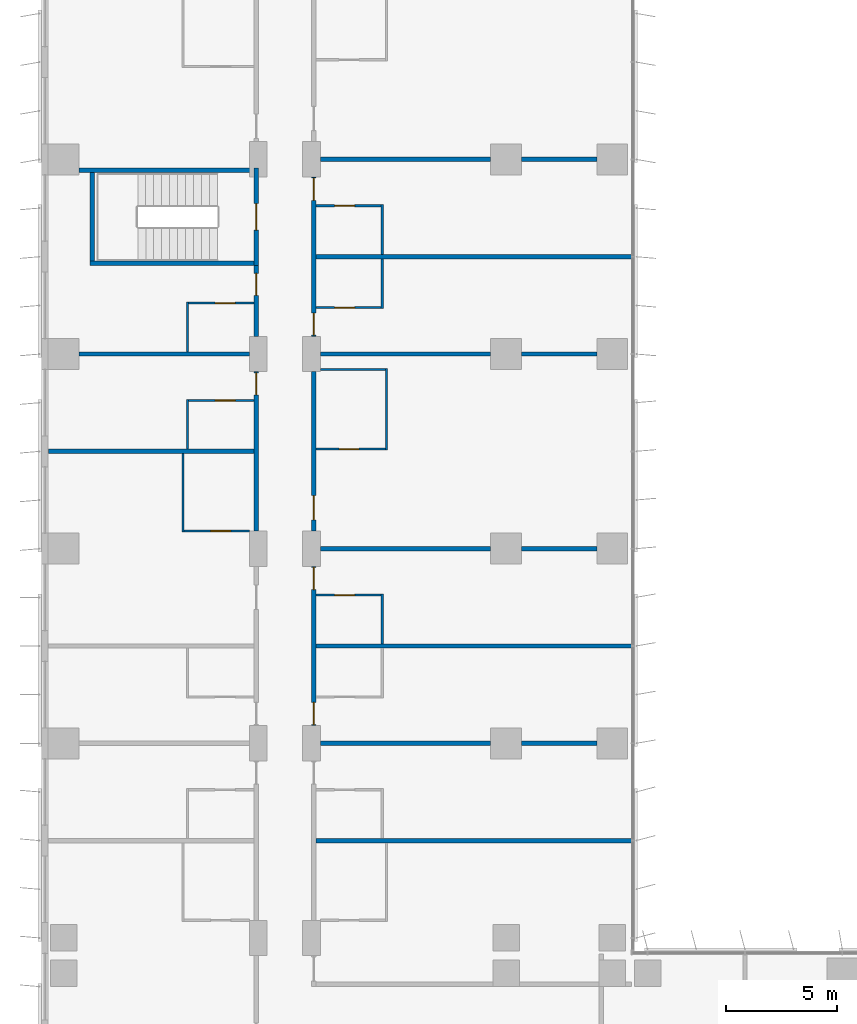
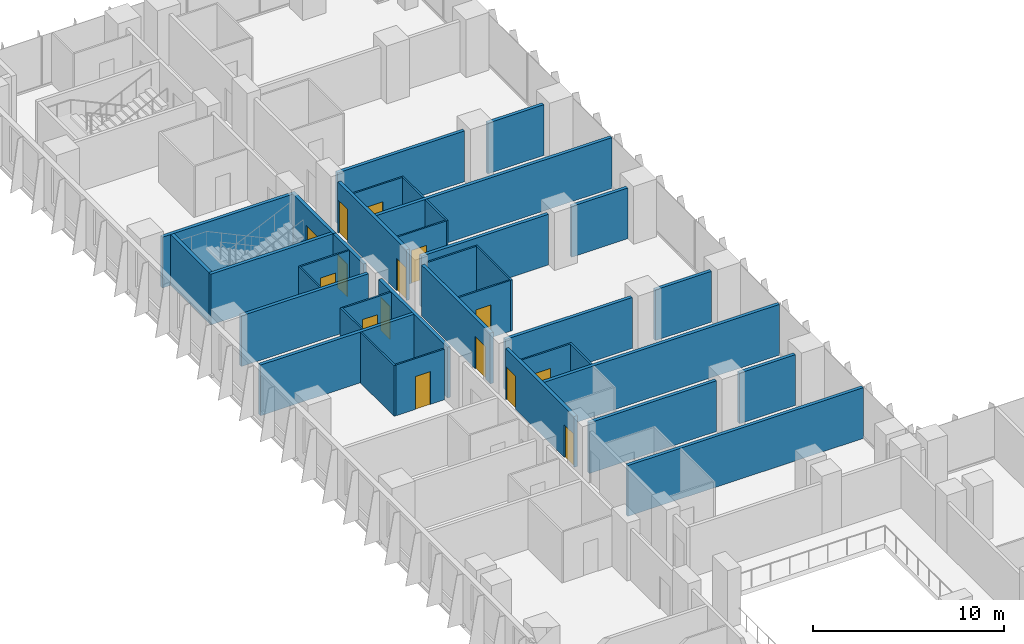
# One storey, part 16 of 23: 37 walls, 15 doors, 15 openings.
"""IFC4 building model written with IfcOpenShell, lengths in metres."""

import ifcopenshell
import ifcopenshell.guid

model = None  # the IFC model being written
_history = None  # IfcOwnerHistory: only IFC2X3 demands one
_inside = {}  # id of a spatial element -> (the spatial element, [elements in it])
_under = {}  # id of a project, library or spatial element -> (it, [spatial elements below it])
_declared = {}  # id of a project -> (the project, [libraries it declares])
_typed = {}  # id of a type object -> (the type object, [elements of that type])
_made_of = {}  # id of a material, layer set ... -> (it, [elements and type objects made of it])


def new_model(schema):
    """Start an empty IFC model of exactly this schema.

    Asked for "IFC4X3", IfcOpenShell would pick the latest addendum, in which some entities
    have other attributes; the version numbers below select the first issue.
    IFC2X3 requires an IfcOwnerHistory on every rooted entity: one is made here for all.
    """
    global model, _history
    if schema == "IFC4X3":
        model = ifcopenshell.file(schema_version=(4, 3, 0, 0))
    else:
        model = ifcopenshell.file(schema=schema)
    _inside.clear()
    _under.clear()
    _declared.clear()
    _typed.clear()
    _made_of.clear()
    _history = None
    if model.schema == "IFC2X3":
        org = make("IfcOrganization", Name="unknown")
        user = make(
            "IfcPersonAndOrganization",
            ThePerson=make("IfcPerson", FamilyName="unknown"),
            TheOrganization=org,
        )
        app = make(
            "IfcApplication",
            ApplicationDeveloper=org,
            Version="unknown",
            ApplicationFullName="unknown",
            ApplicationIdentifier="unknown",
        )
        _history = make(
            "IfcOwnerHistory",
            OwningUser=user,
            OwningApplication=app,
            ChangeAction="ADDED",
            CreationDate=0,
        )
    return model


def make(cls, **values):
    """One entity of the class cls with the attributes given. An attribute that is None is left unset."""
    return model.create_entity(
        cls, **{name: value for name, value in values.items() if value is not None}
    )


def rooted(cls, **values):
    """An entity with a GlobalId (a new one), such as an element, a storey or a relation."""
    return make(cls, GlobalId=ifcopenshell.guid.new(), OwnerHistory=_history, **values)


def si_unit(unit_type, name, prefix=None):
    """IfcSIUnit, for example si_unit("LENGTHUNIT", "METRE", prefix="MILLI")."""
    return make("IfcSIUnit", UnitType=unit_type, Prefix=prefix, Name=name)


def assignment(units):
    """IfcUnitAssignment: the units of a project."""
    return None if units is None else make("IfcUnitAssignment", Units=units)


def point(xyz):
    """IfcCartesianPoint."""
    return None if xyz is None else make("IfcCartesianPoint", Coordinates=xyz)


def direction(xyz):
    """IfcDirection."""
    return None if xyz is None else make("IfcDirection", DirectionRatios=xyz)


def frame(location, z_axis=None, x_axis=None):
    """IfcAxis2Placement3D, a coordinate frame: its origin and axes. An axis left out is left unset."""
    return make(
        "IfcAxis2Placement3D",
        Location=point(location),
        Axis=direction(z_axis),
        RefDirection=direction(x_axis),
    )


def frame_2d(location, x_axis=None):
    """IfcAxis2Placement2D, a coordinate frame in the plane: its origin and x axis."""
    return make(
        "IfcAxis2Placement2D", Location=point(location), RefDirection=direction(x_axis)
    )


def origin():
    """The frame at (0, 0, 0) with its axes left unset."""
    return frame((0.0, 0.0, 0.0))


def place(relative_to, where):
    """IfcLocalPlacement: puts the frame where relative to a parent placement (None: the world)."""
    return make(
        "IfcLocalPlacement", PlacementRelTo=relative_to, RelativePlacement=where
    )


def context(
    kind, dimensions, precision=None, world=None, true_north=None, identifier=None
):
    """IfcGeometricRepresentationContext, for example the 3D "Model" context."""
    return make(
        "IfcGeometricRepresentationContext",
        ContextIdentifier=identifier,
        ContextType=kind,
        CoordinateSpaceDimension=dimensions,
        Precision=precision,
        WorldCoordinateSystem=world,
        TrueNorth=true_north,
    )


def subcontext(parent, identifier, kind, view, scale=None):
    """IfcGeometricRepresentationSubContext, for example "Body" below "Model"."""
    return make(
        "IfcGeometricRepresentationSubContext",
        ContextIdentifier=identifier,
        ContextType=kind,
        ParentContext=parent,
        TargetScale=scale,
        TargetView=view,
    )


def project(units=None, contexts=None):
    """IfcProject with its units and contexts."""
    return rooted(
        "IfcProject",
        Name="project",
        RepresentationContexts=contexts,
        UnitsInContext=assignment(units),
    )


def spatial(cls, under=None, at=None, **own):
    """A site, building, storey or space (cls), placed at a placement, below another one or the project."""
    s = rooted(cls, ObjectPlacement=at, **own)
    if under is not None:
        _under.setdefault(under.id(), (under, []))[1].append(s)
    return s


def profile(cls, at=None, kind="AREA", **sizes):
    """A parametric profile (cls). Its sizes go by their IFC names, for example OverallWidth=200.0."""
    return make(cls, ProfileType=kind, Position=at, **sizes)


def rectangle(**sizes):
    """IfcRectangleProfileDef."""
    return profile("IfcRectangleProfileDef", **sizes)


def extrude(swept, where, along, depth):
    """IfcExtrudedAreaSolid: the profile swept, set in the frame where, extruded along a direction by depth."""
    return make(
        "IfcExtrudedAreaSolid",
        SweptArea=swept,
        Position=where,
        ExtrudedDirection=direction(along),
        Depth=depth,
    )


def shape(context_of_items, identifier, shape_type, items):
    """IfcShapeRepresentation: the items that make up one representation, for example the "Body"."""
    return make(
        "IfcShapeRepresentation",
        ContextOfItems=context_of_items,
        RepresentationIdentifier=identifier,
        RepresentationType=shape_type,
        Items=items,
    )


def material(Name=None, Category=None):
    """IfcMaterial."""
    return make("IfcMaterial", Name=Name, Category=Category)


def layer(
    of_material, thickness, ventilated=None, Name=None, Category=None, Priority=None
):
    """IfcMaterialLayer: one layer of a wall or slab, of a material (None: an air gap)."""
    return make(
        "IfcMaterialLayer",
        Material=of_material,
        LayerThickness=thickness,
        IsVentilated=ventilated,
        Name=Name,
        Category=Category,
        Priority=Priority,
    )


def layer_set(layers, Name=None):
    """IfcMaterialLayerSet."""
    return make("IfcMaterialLayerSet", MaterialLayers=layers, LayerSetName=Name)


def made_of(thing, what):
    """Note that an element or type object is made of a material, layer set ...; save() writes the relation."""
    if what is not None:
        _made_of.setdefault(what.id(), (what, []))[1].append(thing)
    return thing


def type_object(cls, material=None, **own):
    """A type object (cls), such as IfcWallType, which elements share."""
    return made_of(rooted(cls, **own), material)


def element(
    cls,
    number,
    at=None,
    inside=None,
    cuts=None,
    type_object=None,
    material=None,
    context=None,
    identifier="Body",
    shape_type=None,
    held_by="IfcProductDefinitionShape",
    body=None,
    shapes=None,
    **own,
):
    """One element of the class cls, such as IfcWall. Its Tag is "e" and its number.

    at: its placement. inside: the storey or other place that contains it. cuts: it is an
    opening in that element (IfcRelVoidsElement). A single representation is given by context,
    identifier, shape_type and body (its items); several are given by shapes. held_by: the class
    of the entity that holds the representations. save() writes the other relations.
    """
    e = rooted(cls, Tag="e%d" % number, ObjectPlacement=at, **own)
    if body is not None:
        shapes = [shape(context, identifier, shape_type, body)]
    if shapes is not None:
        e.Representation = make(held_by, Representations=shapes)
    if inside is not None:
        _inside.setdefault(inside.id(), (inside, []))[1].append(e)
    if cuts is not None:
        rooted(
            "IfcRelVoidsElement", RelatingBuildingElement=cuts, RelatedOpeningElement=e
        )
    if type_object is not None:
        _typed.setdefault(type_object.id(), (type_object, []))[1].append(e)
    return made_of(e, material)


def fill(opening, filler):
    """IfcRelFillsElement: the door or window that sits in an opening."""
    return rooted(
        "IfcRelFillsElement",
        RelatingOpeningElement=opening,
        RelatedBuildingElement=filler,
    )


def aggregate(whole, parts):
    """IfcRelAggregates: a whole, such as a stair, and the parts it consists of."""
    return rooted("IfcRelAggregates", RelatingObject=whole, RelatedObjects=parts)


def save(model, path):
    """Write the relations noted so far, then the file.

    IfcRelAggregates (storeys below a building ...), IfcRelContainedInSpatialStructure (elements
    in a storey), IfcRelDefinesByType, IfcRelAssociatesMaterial and IfcRelDeclares: one each for
    every whole, place, type object, material and project.
    """
    for whole, parts in _under.values():
        aggregate(whole, parts)
    for where, things in _inside.values():
        rooted(
            "IfcRelContainedInSpatialStructure",
            RelatedElements=things,
            RelatingStructure=where,
        )
    for kind, things in _typed.values():
        rooted("IfcRelDefinesByType", RelatedObjects=things, RelatingType=kind)
    for what, things in _made_of.values():
        rooted("IfcRelAssociatesMaterial", RelatedObjects=things, RelatingMaterial=what)
    for by, libraries in _declared.values():
        rooted("IfcRelDeclares", RelatingContext=by, RelatedDefinitions=libraries)
    model.write(path)


model = new_model("IFC4")

# Units and contexts
model_context = context("Model", 3, precision=1e-05, world=origin(), true_north=direction((0.0, 1.0)))
body_context = subcontext(model_context, "Body", "Model", "MODEL_VIEW")
ifc_project = project(units=[si_unit("LENGTHUNIT", "METRE"), si_unit("AREAUNIT", "SQUARE_METRE"), si_unit("VOLUMEUNIT", "CUBIC_METRE"), si_unit("PLANEANGLEUNIT", "RADIAN"), si_unit("MASSUNIT", "GRAM", prefix="KILO")], contexts=[model_context])

# Site, building, storey
site_placement = place(None, origin())
site = spatial("IfcSite", under=ifc_project, at=site_placement, CompositionType="ELEMENT")
building_placement = place(site_placement, origin())
building = spatial("IfcBuilding", under=site, at=building_placement, Name="Kemantara Hotel Tower", CompositionType="ELEMENT")
storey_placement = place(building_placement, frame((0.0, 0.0, 67.300048828125)))
storey = spatial("IfcBuildingStorey", under=building, at=storey_placement, Name="L15", CompositionType="ELEMENT", Elevation=67.300048828125)

# Wall, opening, door
ifc_material_1 = material(Name="Gypsum board partition, steel studs and mineral wool, 200 mm", Category="steel")
ifc_layer_1 = layer(ifc_material_1, 0.199951171875)
ifc_layer_set_1 = layer_set([ifc_layer_1], Name="Gypsum board partition, steel studs and mineral wool, 200 mm")
wall_type_1 = type_object("IfcWallType", Name="CORRIDOR WALL 200", PredefinedType="PARTITIONING", material=ifc_layer_set_1)
wall_1_placement = place(storey_placement, frame((9.699951171875, 45.800048828125, 0.0), z_axis=(0.0, 0.0, 1.0), x_axis=(0.0, 1.0, 0.0)))
wall_1 = element("IfcWall", 1, at=wall_1_placement, inside=storey, type_object=wall_type_1, Name="CORRIDOR WALL 200 031", PredefinedType="PARTITIONING", context=body_context, shape_type="SweptSolid", body=[
    extrude(rectangle(XDim=7.199951171875, YDim=0.199951171875, at=frame_2d((3.60009765625, 0.0))), origin(), (0.0, 0.0, 1.0), 3.25),
])
opening_1_placement = place(wall_1_placement, frame((6.14990234375, 0.0, 0.0)))
opening_1 = element("IfcOpeningElement", 2, at=opening_1_placement, cuts=wall_1, Name="Opening F05-041", PredefinedType="OPENING", context=body_context, shape_type="SweptSolid", body=[
    extrude(rectangle(XDim=1.0, YDim=2.10009765625, at=frame_2d((0.5, 1.050048828125))), frame((0.0, 0.10986328125, 0.0), z_axis=(0.0, -1.0, 0.0), x_axis=(1.0, 0.0, 0.0)), (0.0, 0.0, 1.0), 0.219970703125),
])
ifc_material_2 = material(Name="Hardwood veneer door leaf with steel frame", Category="steel")
door_type_1 = type_object("IfcDoorType", Name="GUEST ROOM DOOR 1000 X 2100 FD30S", OperationType="NOTDEFINED", PredefinedType="DOOR", material=ifc_material_2)
door_1_placement = place(opening_1_placement, origin())
door_1 = element("IfcDoor", 3, at=door_1_placement, inside=storey, type_object=door_type_1, Name="GUEST ROOM DOOR F05-041", OperationType="SINGLE_SWING_RIGHT", OverallHeight=2.10009765625, OverallWidth=1.0, PredefinedType="DOOR", context=body_context, shape_type="SweptSolid", body=[
    extrude(rectangle(XDim=1.0, YDim=2.10009765625, at=frame_2d((0.5, 1.050048828125))), frame((0.0, 0.02490234375, 0.0), z_axis=(0.0, -1.0, 0.0), x_axis=(1.0, 0.0, 0.0)), (0.0, 0.0, 1.0), 0.050048828125),
])
fill(opening_1, door_1)

wall_2_placement = place(storey_placement, frame((9.699951171875, 54.60009765625, 0.0), z_axis=(0.0, 0.0, 1.0), x_axis=(0.0, 1.0, 0.0)))
wall_2 = element("IfcWall", 4, at=wall_2_placement, inside=storey, type_object=wall_type_1, Name="CORRIDOR WALL 200 032", PredefinedType="PARTITIONING", context=body_context, shape_type="SweptSolid", body=[
    extrude(rectangle(XDim=3.199951171875, YDim=0.199951171875, at=frame_2d((1.60009765625, 0.0))), origin(), (0.0, 0.0, 1.0), 3.25),
])
opening_2_placement = place(wall_2_placement, frame((1.849853515625, 0.0, 0.0)))
opening_2 = element("IfcOpeningElement", 5, at=opening_2_placement, cuts=wall_2, Name="Opening F05-043", PredefinedType="OPENING", context=body_context, shape_type="SweptSolid", body=[
    extrude(rectangle(XDim=1.0, YDim=2.10009765625, at=frame_2d((0.5, 1.050048828125))), frame((0.0, 0.10986328125, 0.0), z_axis=(0.0, -1.0, 0.0), x_axis=(1.0, 0.0, 0.0)), (0.0, 0.0, 1.0), 0.219970703125),
])
door_2_placement = place(opening_2_placement, origin())
door_2 = element("IfcDoor", 6, at=door_2_placement, inside=storey, type_object=door_type_1, Name="GUEST ROOM DOOR F05-043", OperationType="SINGLE_SWING_RIGHT", OverallHeight=2.10009765625, OverallWidth=1.0, PredefinedType="DOOR", context=body_context, shape_type="SweptSolid", body=[
    extrude(rectangle(XDim=1.0, YDim=2.10009765625, at=frame_2d((0.5, 1.050048828125))), frame((0.0, 0.02490234375, 0.0), z_axis=(0.0, -1.0, 0.0), x_axis=(1.0, 0.0, 0.0)), (0.0, 0.0, 1.0), 0.050048828125),
])
fill(opening_2, door_2)

# Wall, openings, doors
wall_3_placement = place(storey_placement, frame((12.300048828125, 44.199951171875, 0.0), z_axis=(0.0, 0.0, 1.0), x_axis=(0.0, -1.0, 0.0)))
wall_3 = element("IfcWall", 7, at=wall_3_placement, inside=storey, type_object=wall_type_1, Name="CORRIDOR WALL 200 050", PredefinedType="PARTITIONING", context=body_context, shape_type="SweptSolid", body=[
    extrude(rectangle(XDim=7.199951171875, YDim=0.199951171875, at=frame_2d((3.60009765625, 0.0))), origin(), (0.0, 0.0, 1.0), 3.25),
])
opening_3_placement = place(wall_3_placement, frame((6.14990234375, 0.0, 0.0)))
opening_3 = element("IfcOpeningElement", 8, at=opening_3_placement, cuts=wall_3, Name="Opening F05-053", PredefinedType="OPENING", context=body_context, shape_type="SweptSolid", body=[
    extrude(rectangle(XDim=1.0, YDim=2.10009765625, at=frame_2d((0.5, 1.050048828125))), frame((0.0, 0.10986328125, 0.0), z_axis=(0.0, -1.0, 0.0), x_axis=(1.0, 0.0, 0.0)), (0.0, 0.0, 1.0), 0.219970703125),
])
opening_4_placement = place(wall_3_placement, frame((0.0498046875, 0.0, 0.0)))
opening_4 = element("IfcOpeningElement", 9, at=opening_4_placement, cuts=wall_3, Name="Opening F05-055", PredefinedType="OPENING", context=body_context, shape_type="SweptSolid", body=[
    extrude(rectangle(XDim=1.0, YDim=2.10009765625, at=frame_2d((0.5, 1.050048828125))), frame((0.0, 0.10986328125, 0.0), z_axis=(0.0, -1.0, 0.0), x_axis=(1.0, 0.0, 0.0)), (0.0, 0.0, 1.0), 0.219970703125),
])
door_3_placement = place(opening_3_placement, origin())
door_3 = element("IfcDoor", 10, at=door_3_placement, inside=storey, type_object=door_type_1, Name="GUEST ROOM DOOR F05-053", OperationType="SINGLE_SWING_RIGHT", OverallHeight=2.10009765625, OverallWidth=1.0, PredefinedType="DOOR", context=body_context, shape_type="SweptSolid", body=[
    extrude(rectangle(XDim=1.0, YDim=2.10009765625, at=frame_2d((0.5, 1.050048828125))), frame((0.0, 0.02490234375, 0.0), z_axis=(0.0, -1.0, 0.0), x_axis=(1.0, 0.0, 0.0)), (0.0, 0.0, 1.0), 0.050048828125),
])
fill(opening_3, door_3)
door_4_placement = place(opening_4_placement, origin())
door_4 = element("IfcDoor", 11, at=door_4_placement, inside=storey, type_object=door_type_1, Name="GUEST ROOM DOOR F05-055", OperationType="SINGLE_SWING_LEFT", OverallHeight=2.10009765625, OverallWidth=1.0, PredefinedType="DOOR", context=body_context, shape_type="SweptSolid", body=[
    extrude(rectangle(XDim=1.0, YDim=2.10009765625, at=frame_2d((0.5, 1.050048828125))), frame((0.0, 0.02490234375, 0.0), z_axis=(0.0, -1.0, 0.0), x_axis=(1.0, 0.0, 0.0)), (0.0, 0.0, 1.0), 0.050048828125),
])
fill(opening_4, door_4)

# Wall, opening, door
wall_4_placement = place(storey_placement, frame((12.300048828125, 53.0, 0.0), z_axis=(0.0, 0.0, 1.0), x_axis=(0.0, -1.0, 0.0)))
wall_4 = element("IfcWall", 12, at=wall_4_placement, inside=storey, type_object=wall_type_1, Name="CORRIDOR WALL 200 051", PredefinedType="PARTITIONING", context=body_context, shape_type="SweptSolid", body=[
    extrude(rectangle(XDim=7.199951171875, YDim=0.199951171875, at=frame_2d((3.60009765625, 0.0))), origin(), (0.0, 0.0, 1.0), 3.25),
])
opening_5_placement = place(wall_4_placement, frame((5.599853515625, 0.0, 0.0)))
opening_5 = element("IfcOpeningElement", 13, at=opening_5_placement, cuts=wall_4, Name="Opening F05-057", PredefinedType="OPENING", context=body_context, shape_type="SweptSolid", body=[
    extrude(rectangle(XDim=1.10009765625, YDim=2.10009765625, at=frame_2d((0.550048828125, 1.050048828125))), frame((0.0, 0.10986328125, 0.0), z_axis=(0.0, -1.0, 0.0), x_axis=(1.0, 0.0, 0.0)), (0.0, 0.0, 1.0), 0.219970703125),
])
door_type_2 = type_object("IfcDoorType", Name="SUITE ENTRANCE DOOR 1100 X 2100 FD30S", OperationType="NOTDEFINED", PredefinedType="DOOR", material=ifc_material_2)
door_5_placement = place(opening_5_placement, origin())
door_5 = element("IfcDoor", 14, at=door_5_placement, inside=storey, type_object=door_type_2, Name="SUITE ENTRANCE DOOR F05-057", OperationType="SINGLE_SWING_RIGHT", OverallHeight=2.10009765625, OverallWidth=1.10009765625, PredefinedType="DOOR", context=body_context, shape_type="SweptSolid", body=[
    extrude(rectangle(XDim=1.10009765625, YDim=2.10009765625, at=frame_2d((0.550048828125, 1.050048828125))), frame((0.0, 0.02490234375, 0.0), z_axis=(0.0, -1.0, 0.0), x_axis=(1.0, 0.0, 0.0)), (0.0, 0.0, 1.0), 0.050048828125),
])
fill(opening_5, door_5)

# Wall, openings, doors
wall_5_placement = place(storey_placement, frame((12.300048828125, 61.7998046875, 0.0), z_axis=(0.0, 0.0, 1.0), x_axis=(0.0, -1.0, 0.0)))
wall_5 = element("IfcWall", 15, at=wall_5_placement, inside=storey, type_object=wall_type_1, Name="CORRIDOR WALL 200 052", PredefinedType="PARTITIONING", context=body_context, shape_type="SweptSolid", body=[
    extrude(rectangle(XDim=7.19970703125, YDim=0.199951171875, at=frame_2d((3.599853515625, 0.0))), origin(), (0.0, 0.0, 1.0), 3.25),
])
opening_6_placement = place(wall_5_placement, frame((6.14990234375, 0.0, 0.0)))
opening_6 = element("IfcOpeningElement", 16, at=opening_6_placement, cuts=wall_5, Name="Opening F05-059", PredefinedType="OPENING", context=body_context, shape_type="SweptSolid", body=[
    extrude(rectangle(XDim=1.0, YDim=2.10009765625, at=frame_2d((0.5, 1.050048828125))), frame((0.0, 0.10986328125, 0.0), z_axis=(0.0, -1.0, 0.0), x_axis=(1.0, 0.0, 0.0)), (0.0, 0.0, 1.0), 0.219970703125),
])
opening_7_placement = place(wall_5_placement, frame((0.0498046875, 0.0, 0.0)))
opening_7 = element("IfcOpeningElement", 17, at=opening_7_placement, cuts=wall_5, Name="Opening F05-061", PredefinedType="OPENING", context=body_context, shape_type="SweptSolid", body=[
    extrude(rectangle(XDim=1.0, YDim=2.10009765625, at=frame_2d((0.5, 1.050048828125))), frame((0.0, 0.10986328125, 0.0), z_axis=(0.0, -1.0, 0.0), x_axis=(1.0, 0.0, 0.0)), (0.0, 0.0, 1.0), 0.219970703125),
])
door_6_placement = place(opening_6_placement, origin())
door_6 = element("IfcDoor", 18, at=door_6_placement, inside=storey, type_object=door_type_1, Name="GUEST ROOM DOOR F05-059", OperationType="SINGLE_SWING_RIGHT", OverallHeight=2.10009765625, OverallWidth=1.0, PredefinedType="DOOR", context=body_context, shape_type="SweptSolid", body=[
    extrude(rectangle(XDim=1.0, YDim=2.10009765625, at=frame_2d((0.5, 1.050048828125))), frame((0.0, 0.02490234375, 0.0), z_axis=(0.0, -1.0, 0.0), x_axis=(1.0, 0.0, 0.0)), (0.0, 0.0, 1.0), 0.050048828125),
])
fill(opening_6, door_6)
door_7_placement = place(opening_7_placement, origin())
door_7 = element("IfcDoor", 19, at=door_7_placement, inside=storey, type_object=door_type_1, Name="GUEST ROOM DOOR F05-061", OperationType="SINGLE_SWING_LEFT", OverallHeight=2.10009765625, OverallWidth=1.0, PredefinedType="DOOR", context=body_context, shape_type="SweptSolid", body=[
    extrude(rectangle(XDim=1.0, YDim=2.10009765625, at=frame_2d((0.5, 1.050048828125))), frame((0.0, 0.02490234375, 0.0), z_axis=(0.0, -1.0, 0.0), x_axis=(1.0, 0.0, 0.0)), (0.0, 0.0, 1.0), 0.050048828125),
])
fill(opening_7, door_7)

# Wall, opening, door
ifc_material_3 = material(Name="Concrete fc 40 MPa", Category="concrete")
ifc_layer_2 = layer(ifc_material_3, 0.199951171875)
ifc_layer_set_2 = layer_set([ifc_layer_2], Name="Concrete fc 40 MPa")
wall_type_2 = type_object("IfcWallType", Name="Concrete stair wall 200 mm", PredefinedType="SHEAR", material=ifc_layer_set_2)
wall_6_placement = place(storey_placement, frame((9.699951171875, 57.800048828125, 0.0), z_axis=(0.0, 0.0, 1.0), x_axis=(0.0, 1.0, 0.0)))
wall_6 = element("IfcWall", 20, at=wall_6_placement, inside=storey, type_object=wall_type_2, Name="Stair ST4 enclosure wall with door", PredefinedType="SHEAR", context=body_context, shape_type="SweptSolid", body=[
    extrude(rectangle(XDim=4.39990234375, YDim=0.199951171875, at=frame_2d((2.199951171875, 0.0))), origin(), (0.0, 0.0, 1.0), 3.25),
])
opening_8_placement = place(wall_6_placement, frame((1.60009765625, 0.0, 0.0)))
opening_8 = element("IfcOpeningElement", 21, at=opening_8_placement, cuts=wall_6, Name="Opening ST4-C", PredefinedType="OPENING", context=body_context, shape_type="SweptSolid", body=[
    extrude(rectangle(XDim=1.199951171875, YDim=2.10009765625, at=frame_2d((0.60009765625, 1.050048828125))), frame((0.0, 0.10986328125, 0.0), z_axis=(0.0, -1.0, 0.0), x_axis=(1.0, 0.0, 0.0)), (0.0, 0.0, 1.0), 0.219970703125),
])
ifc_material_4 = material(Name="Steel fire door", Category="steel")
door_type_3 = type_object("IfcDoorType", Name="Fire door FD90 1200 x 2100", OperationType="NOTDEFINED", PredefinedType="DOOR", material=ifc_material_4)
door_8_placement = place(opening_8_placement, origin())
door_8 = element("IfcDoor", 22, at=door_8_placement, inside=storey, type_object=door_type_3, Name="Stair ST4 door", OperationType="SINGLE_SWING_RIGHT", OverallHeight=2.10009765625, OverallWidth=1.199951171875, PredefinedType="DOOR", context=body_context, shape_type="SweptSolid", body=[
    extrude(rectangle(XDim=1.199951171875, YDim=2.10009765625, at=frame_2d((0.60009765625, 1.050048828125))), frame((0.0, 0.02490234375, 0.0), z_axis=(0.0, -1.0, 0.0), x_axis=(1.0, 0.0, 0.0)), (0.0, 0.0, 1.0), 0.050048828125),
])
fill(opening_8, door_8)

# Walls
wall_7_placement = place(storey_placement, frame((1.699951171875, 62.10009765625, 0.0), z_axis=(0.0, 0.0, 1.0), x_axis=(1.0, 0.0, 0.0)))
element("IfcWall", 23, at=wall_7_placement, inside=storey, type_object=wall_type_2, Name="Stair ST4 enclosure wall N", PredefinedType="SHEAR", context=body_context, shape_type="SweptSolid", body=[
    extrude(rectangle(XDim=7.900146484375, YDim=0.199951171875, at=frame_2d((3.9501953125, 0.0))), origin(), (0.0, 0.0, 1.0), 3.25),
])
wall_8_placement = place(storey_placement, frame((2.199951171875, 57.89990234375, 0.0), z_axis=(0.0, 0.0, 1.0), x_axis=(1.0, 0.0, 0.0)))
element("IfcWall", 24, at=wall_8_placement, inside=storey, type_object=wall_type_2, Name="Stair ST4 enclosure wall S", PredefinedType="SHEAR", context=body_context, shape_type="SweptSolid", body=[
    extrude(rectangle(XDim=7.400146484375, YDim=0.199951171875, at=frame_2d((3.7001953125, 0.0))), origin(), (0.0, 0.0, 1.0), 3.25),
])
wall_9_placement = place(storey_placement, frame((2.300048828125, 58.0, 0.0), z_axis=(0.0, 0.0, 1.0), x_axis=(0.0, 1.0, 0.0)))
element("IfcWall", 25, at=wall_9_placement, inside=storey, type_object=wall_type_2, Name="Stair ST4 enclosure wall W", PredefinedType="SHEAR", context=body_context, shape_type="SweptSolid", body=[
    extrude(rectangle(XDim=4.0, YDim=0.199951171875, at=frame_2d((2.0, 0.0))), origin(), (0.0, 0.0, 1.0), 3.25),
])
ifc_layer_3 = layer(ifc_material_1, 0.199951171875)
ifc_layer_set_3 = layer_set([ifc_layer_3], Name="Gypsum board partition, steel studs and mineral wool, 200 mm")
wall_type_3 = type_object("IfcWallType", Name="GUEST ROOM PARTY WALL 200", PredefinedType="PARTITIONING", material=ifc_layer_set_3)
wall_10_placement = place(storey_placement, frame((12.39990234375, 31.800048828125, 0.0), z_axis=(0.0, 0.0, 1.0), x_axis=(1.0, 0.0, 0.0)))
element("IfcWall", 26, at=wall_10_placement, inside=storey, type_object=wall_type_3, Name="GUEST ROOM PARTY WALL 200 038", PredefinedType="PARTITIONING", context=body_context, shape_type="SweptSolid", body=[
    extrude(rectangle(XDim=14.27001953125, YDim=0.199951171875, at=frame_2d((7.135009765625, 0.0))), origin(), (0.0, 0.0, 1.0), 3.25),
])
wall_11_placement = place(storey_placement, frame((12.60009765625, 36.199951171875, 0.0), z_axis=(0.0, 0.0, 1.0), x_axis=(1.0, 0.0, 0.0)))
element("IfcWall", 27, at=wall_11_placement, inside=storey, type_object=wall_type_3, Name="GUEST ROOM PARTY WALL 200 040", PredefinedType="PARTITIONING", context=body_context, shape_type="SweptSolid", body=[
    extrude(rectangle(XDim=7.69970703125, YDim=0.199951171875, at=frame_2d((3.849853515625, 0.0))), origin(), (0.0, 0.0, 1.0), 3.25),
])
wall_12_placement = place(storey_placement, frame((21.7001953125, 36.199951171875, 0.0), z_axis=(0.0, 0.0, 1.0), x_axis=(1.0, 0.0, 0.0)))
element("IfcWall", 28, at=wall_12_placement, inside=storey, type_object=wall_type_3, Name="GUEST ROOM PARTY WALL 200 041", PredefinedType="PARTITIONING", context=body_context, shape_type="SweptSolid", body=[
    extrude(rectangle(XDim=3.399658203125, YDim=0.199951171875, at=frame_2d((1.69970703125, 0.0))), origin(), (0.0, 0.0, 1.0), 3.25),
])
wall_13_placement = place(storey_placement, frame((12.39990234375, 40.60009765625, 0.0), z_axis=(0.0, 0.0, 1.0), x_axis=(1.0, 0.0, 0.0)))
element("IfcWall", 29, at=wall_13_placement, inside=storey, type_object=wall_type_3, Name="GUEST ROOM PARTY WALL 200 043", PredefinedType="PARTITIONING", context=body_context, shape_type="SweptSolid", body=[
    extrude(rectangle(XDim=14.27001953125, YDim=0.199951171875, at=frame_2d((7.135009765625, 0.0))), origin(), (0.0, 0.0, 1.0), 3.25),
])
wall_14_placement = place(storey_placement, frame((0.31005859375, 49.39990234375, 0.0), z_axis=(0.0, 0.0, 1.0), x_axis=(1.0, 0.0, 0.0)))
element("IfcWall", 30, at=wall_14_placement, inside=storey, type_object=wall_type_3, Name="GUEST ROOM PARTY WALL 200 044", PredefinedType="PARTITIONING", context=body_context, shape_type="SweptSolid", body=[
    extrude(rectangle(XDim=9.2900390625, YDim=0.199951171875, at=frame_2d((4.64501953125, 0.0))), origin(), (0.0, 0.0, 1.0), 3.25),
])
for number, where, z_axis, x_axis, name in (
    (31, (1.7001953125, 53.800048828125, 0.0), (0.0, 0.0, 1.0), (1.0, 0.0, 0.0), "GUEST ROOM PARTY WALL 200 045"),
    (32, (12.60009765625, 53.800048828125, 0.0), (0.0, 0.0, 1.0), (1.0, 0.0, 0.0), "GUEST ROOM PARTY WALL 200 046"),
):
    element("IfcWall", number, at=place(storey_placement, frame(where, z_axis=z_axis, x_axis=x_axis)), inside=storey, type_object=wall_type_3, Name=name, PredefinedType="PARTITIONING", context=body_context, shape_type="SweptSolid", body=[
        extrude(rectangle(XDim=7.69970703125, YDim=0.199951171875, at=frame_2d((3.849853515625, 0.0))), origin(), (0.0, 0.0, 1.0), 3.25),
    ])
wall_15_placement = place(storey_placement, frame((21.7001953125, 53.800048828125, 0.0), z_axis=(0.0, 0.0, 1.0), x_axis=(1.0, 0.0, 0.0)))
element("IfcWall", 33, at=wall_15_placement, inside=storey, type_object=wall_type_3, Name="GUEST ROOM PARTY WALL 200 047", PredefinedType="PARTITIONING", context=body_context, shape_type="SweptSolid", body=[
    extrude(rectangle(XDim=3.399658203125, YDim=0.199951171875, at=frame_2d((1.69970703125, 0.0))), origin(), (0.0, 0.0, 1.0), 3.25),
])
wall_16_placement = place(storey_placement, frame((12.60009765625, 45.0, 0.0), z_axis=(0.0, 0.0, 1.0), x_axis=(1.0, 0.0, 0.0)))
element("IfcWall", 34, at=wall_16_placement, inside=storey, type_object=wall_type_3, Name="GUEST ROOM PARTY WALL 200 058", PredefinedType="PARTITIONING", context=body_context, shape_type="SweptSolid", body=[
    extrude(rectangle(XDim=7.69970703125, YDim=0.199951171875, at=frame_2d((3.849853515625, 0.0))), origin(), (0.0, 0.0, 1.0), 3.25),
])
wall_17_placement = place(storey_placement, frame((21.7001953125, 45.0, 0.0), z_axis=(0.0, 0.0, 1.0), x_axis=(1.0, 0.0, 0.0)))
element("IfcWall", 35, at=wall_17_placement, inside=storey, type_object=wall_type_3, Name="GUEST ROOM PARTY WALL 200 059", PredefinedType="PARTITIONING", context=body_context, shape_type="SweptSolid", body=[
    extrude(rectangle(XDim=3.399658203125, YDim=0.199951171875, at=frame_2d((1.69970703125, 0.0))), origin(), (0.0, 0.0, 1.0), 3.25),
])
wall_18_placement = place(storey_placement, frame((12.39990234375, 58.199951171875, 0.0), z_axis=(0.0, 0.0, 1.0), x_axis=(1.0, 0.0, 0.0)))
element("IfcWall", 36, at=wall_18_placement, inside=storey, type_object=wall_type_3, Name="GUEST ROOM PARTY WALL 200 060", PredefinedType="PARTITIONING", context=body_context, shape_type="SweptSolid", body=[
    extrude(rectangle(XDim=14.27001953125, YDim=0.199951171875, at=frame_2d((7.135009765625, 0.0))), origin(), (0.0, 0.0, 1.0), 3.25),
])
wall_19_placement = place(storey_placement, frame((12.60009765625, 62.60009765625, 0.0), z_axis=(0.0, 0.0, 1.0), x_axis=(1.0, 0.0, 0.0)))
element("IfcWall", 37, at=wall_19_placement, inside=storey, type_object=wall_type_3, Name="GUEST ROOM PARTY WALL 200 061", PredefinedType="PARTITIONING", context=body_context, shape_type="SweptSolid", body=[
    extrude(rectangle(XDim=7.69970703125, YDim=0.199951171875, at=frame_2d((3.849853515625, 0.0))), origin(), (0.0, 0.0, 1.0), 3.25),
])
wall_20_placement = place(storey_placement, frame((21.7001953125, 62.60009765625, 0.0), z_axis=(0.0, 0.0, 1.0), x_axis=(1.0, 0.0, 0.0)))
element("IfcWall", 38, at=wall_20_placement, inside=storey, type_object=wall_type_3, Name="GUEST ROOM PARTY WALL 200 062", PredefinedType="PARTITIONING", context=body_context, shape_type="SweptSolid", body=[
    extrude(rectangle(XDim=3.399658203125, YDim=0.199951171875, at=frame_2d((1.69970703125, 0.0))), origin(), (0.0, 0.0, 1.0), 3.25),
])
ifc_material_5 = material(Name="Gypsum board partition on steel studs, 100 mm", Category="steel")
ifc_layer_4 = layer(ifc_material_5, 0.10009765625)
ifc_layer_set_4 = layer_set([ifc_layer_4], Name="Gypsum board partition on steel studs, 100 mm")
wall_type_4 = type_object("IfcWallType", Name="ROOM PARTITION 100", PredefinedType="PARTITIONING", material=ifc_layer_set_4)
for number, where, z_axis, x_axis, name in (
    (39, (6.60009765625, 49.5, 0.0), (0.0, 0.0, 1.0), (0.0, 1.0, 0.0), "ROOM PARTITION 100 099"),
    (40, (6.60009765625, 53.89990234375, 0.0), (0.0, 0.0, 1.0), (0.0, 1.0, 0.0), "ROOM PARTITION 100 100"),
):
    element("IfcWall", number, at=place(storey_placement, frame(where, z_axis=z_axis, x_axis=x_axis)), inside=storey, type_object=wall_type_4, Name=name, PredefinedType="PARTITIONING", context=body_context, shape_type="SweptSolid", body=[
        extrude(rectangle(XDim=2.25, YDim=0.10009765625, at=frame_2d((1.125, 0.0))), origin(), (0.0, 0.0, 1.0), 3.25),
    ])
wall_21_placement = place(storey_placement, frame((6.39990234375, 45.75, 0.0), z_axis=(0.0, 0.0, 1.0), x_axis=(0.0, 1.0, 0.0)))
element("IfcWall", 41, at=wall_21_placement, inside=storey, type_object=wall_type_4, Name="ROOM PARTITION 100 103", PredefinedType="PARTITIONING", context=body_context, shape_type="SweptSolid", body=[
    extrude(rectangle(XDim=3.550048828125, YDim=0.10009765625, at=frame_2d((1.77490234375, 0.0))), origin(), (0.0, 0.0, 1.0), 3.25),
])

# Wall, opening, door
wall_22_placement = place(storey_placement, frame((6.449951171875, 45.800048828125, 0.0), z_axis=(0.0, 0.0, 1.0), x_axis=(1.0, 0.0, 0.0)))
wall_22 = element("IfcWall", 42, at=wall_22_placement, inside=storey, type_object=wall_type_4, Name="ROOM PARTITION 100 111", PredefinedType="PARTITIONING", context=body_context, shape_type="SweptSolid", body=[
    extrude(rectangle(XDim=2.949951171875, YDim=0.10009765625, at=frame_2d((1.47509765625, 0.0))), origin(), (0.0, 0.0, 1.0), 3.25),
])
opening_9_placement = place(wall_22_placement, frame((1.199951171875, 0.0, 0.0)))
opening_9 = element("IfcOpeningElement", 43, at=opening_9_placement, cuts=wall_22, Name="Opening F05-040", PredefinedType="OPENING", context=body_context, shape_type="SweptSolid", body=[
    extrude(rectangle(XDim=0.89990234375, YDim=2.10009765625, at=frame_2d((0.449951171875, 1.050048828125))), frame((0.0, 0.06005859375, 0.0), z_axis=(0.0, -1.0, 0.0), x_axis=(1.0, 0.0, 0.0)), (0.0, 0.0, 1.0), 0.1201171875),
])
door_type_4 = type_object("IfcDoorType", Name="BATHROOM DOOR 900 X 2100", OperationType="NOTDEFINED", PredefinedType="DOOR", material=ifc_material_2)
door_9_placement = place(opening_9_placement, origin())
door_9 = element("IfcDoor", 44, at=door_9_placement, inside=storey, type_object=door_type_4, Name="BATHROOM DOOR F05-040", OperationType="SINGLE_SWING_RIGHT", OverallHeight=2.10009765625, OverallWidth=0.89990234375, PredefinedType="DOOR", context=body_context, shape_type="SweptSolid", body=[
    extrude(rectangle(XDim=0.89990234375, YDim=2.10009765625, at=frame_2d((0.449951171875, 1.050048828125))), frame((0.0, 0.02490234375, 0.0), z_axis=(0.0, -1.0, 0.0), x_axis=(1.0, 0.0, 0.0)), (0.0, 0.0, 1.0), 0.050048828125),
])
fill(opening_9, door_9)

wall_23_placement = place(storey_placement, frame((9.60009765625, 51.699951171875, 0.0), z_axis=(0.0, 0.0, 1.0), x_axis=(-1.0, 0.0, 0.0)))
wall_23 = element("IfcWall", 45, at=wall_23_placement, inside=storey, type_object=wall_type_4, Name="ROOM PARTITION 100 112", PredefinedType="PARTITIONING", context=body_context, shape_type="SweptSolid", body=[
    extrude(rectangle(XDim=2.9501953125, YDim=0.10009765625, at=frame_2d((1.47509765625, 0.0))), origin(), (0.0, 0.0, 1.0), 3.25),
])
opening_10_placement = place(wall_23_placement, frame((0.85009765625, 0.0, 0.0)))
opening_10 = element("IfcOpeningElement", 46, at=opening_10_placement, cuts=wall_23, Name="Opening F05-042", PredefinedType="OPENING", context=body_context, shape_type="SweptSolid", body=[
    extrude(rectangle(XDim=0.89990234375, YDim=2.10009765625, at=frame_2d((0.449951171875, 1.050048828125))), frame((0.0, 0.06005859375, 0.0), z_axis=(0.0, -1.0, 0.0), x_axis=(1.0, 0.0, 0.0)), (0.0, 0.0, 1.0), 0.1201171875),
])
door_10_placement = place(opening_10_placement, origin())
door_10 = element("IfcDoor", 47, at=door_10_placement, inside=storey, type_object=door_type_4, Name="BATHROOM DOOR F05-042", OperationType="SINGLE_SWING_LEFT", OverallHeight=2.10009765625, OverallWidth=0.89990234375, PredefinedType="DOOR", context=body_context, shape_type="SweptSolid", body=[
    extrude(rectangle(XDim=0.89990234375, YDim=2.10009765625, at=frame_2d((0.449951171875, 1.050048828125))), frame((0.0, 0.02490234375, 0.0), z_axis=(0.0, -1.0, 0.0), x_axis=(1.0, 0.0, 0.0)), (0.0, 0.0, 1.0), 0.050048828125),
])
fill(opening_10, door_10)

wall_24_placement = place(storey_placement, frame((9.60009765625, 56.10009765625, 0.0), z_axis=(0.0, 0.0, 1.0), x_axis=(-1.0, 0.0, 0.0)))
wall_24 = element("IfcWall", 48, at=wall_24_placement, inside=storey, type_object=wall_type_4, Name="ROOM PARTITION 100 113", PredefinedType="PARTITIONING", context=body_context, shape_type="SweptSolid", body=[
    extrude(rectangle(XDim=2.9501953125, YDim=0.10009765625, at=frame_2d((1.47509765625, 0.0))), origin(), (0.0, 0.0, 1.0), 3.25),
])
opening_11_placement = place(wall_24_placement, frame((0.85009765625, 0.0, 0.0)))
opening_11 = element("IfcOpeningElement", 49, at=opening_11_placement, cuts=wall_24, Name="Opening F05-044", PredefinedType="OPENING", context=body_context, shape_type="SweptSolid", body=[
    extrude(rectangle(XDim=0.89990234375, YDim=2.10009765625, at=frame_2d((0.449951171875, 1.050048828125))), frame((0.0, 0.06005859375, 0.0), z_axis=(0.0, -1.0, 0.0), x_axis=(1.0, 0.0, 0.0)), (0.0, 0.0, 1.0), 0.1201171875),
])
door_11_placement = place(opening_11_placement, origin())
door_11 = element("IfcDoor", 50, at=door_11_placement, inside=storey, type_object=door_type_4, Name="BATHROOM DOOR F05-044", OperationType="SINGLE_SWING_LEFT", OverallHeight=2.10009765625, OverallWidth=0.89990234375, PredefinedType="DOOR", context=body_context, shape_type="SweptSolid", body=[
    extrude(rectangle(XDim=0.89990234375, YDim=2.10009765625, at=frame_2d((0.449951171875, 1.050048828125))), frame((0.0, 0.02490234375, 0.0), z_axis=(0.0, -1.0, 0.0), x_axis=(1.0, 0.0, 0.0)), (0.0, 0.0, 1.0), 0.050048828125),
])
fill(opening_11, door_11)

# Walls
wall_25_placement = place(storey_placement, frame((15.60009765625, 49.449951171875, 0.0), z_axis=(0.0, 0.0, 1.0), x_axis=(0.0, 1.0, 0.0)))
element("IfcWall", 51, at=wall_25_placement, inside=storey, type_object=wall_type_4, Name="ROOM PARTITION 100 118", PredefinedType="PARTITIONING", context=body_context, shape_type="SweptSolid", body=[
    extrude(rectangle(XDim=3.699951171875, YDim=0.10009765625, at=frame_2d((1.85009765625, 0.0))), origin(), (0.0, 0.0, 1.0), 3.25),
])
for number, where, z_axis, x_axis, name in (
    (52, (15.39990234375, 40.699951171875, 0.0), (0.0, 0.0, 1.0), (0.0, 1.0, 0.0), "ROOM PARTITION 100 122"),
    (53, (15.39990234375, 55.85009765625, 0.0), (0.0, 0.0, 1.0), (0.0, 1.0, 0.0), "ROOM PARTITION 100 123"),
    (54, (15.39990234375, 58.300048828125, 0.0), (0.0, 0.0, 1.0), (0.0, 1.0, 0.0), "ROOM PARTITION 100 124"),
):
    element("IfcWall", number, at=place(storey_placement, frame(where, z_axis=z_axis, x_axis=x_axis)), inside=storey, type_object=wall_type_4, Name=name, PredefinedType="PARTITIONING", context=body_context, shape_type="SweptSolid", body=[
        extrude(rectangle(XDim=2.25, YDim=0.10009765625, at=frame_2d((1.125, 0.0))), origin(), (0.0, 0.0, 1.0), 3.25),
    ])

# Wall, opening, door
wall_26_placement = place(storey_placement, frame((15.35009765625, 42.89990234375, 0.0), z_axis=(0.0, 0.0, 1.0), x_axis=(-1.0, 0.0, 0.0)))
wall_26 = element("IfcWall", 55, at=wall_26_placement, inside=storey, type_object=wall_type_4, Name="ROOM PARTITION 100 125", PredefinedType="PARTITIONING", context=body_context, shape_type="SweptSolid", body=[
    extrude(rectangle(XDim=2.9501953125, YDim=0.10009765625, at=frame_2d((1.47509765625, 0.0))), origin(), (0.0, 0.0, 1.0), 3.25),
])
opening_12_placement = place(wall_26_placement, frame((1.199951171875, 0.0, 0.0)))
opening_12 = element("IfcOpeningElement", 56, at=opening_12_placement, cuts=wall_26, Name="Opening F05-056", PredefinedType="OPENING", context=body_context, shape_type="SweptSolid", body=[
    extrude(rectangle(XDim=0.89990234375, YDim=2.10009765625, at=frame_2d((0.449951171875, 1.050048828125))), frame((0.0, 0.06005859375, 0.0), z_axis=(0.0, -1.0, 0.0), x_axis=(1.0, 0.0, 0.0)), (0.0, 0.0, 1.0), 0.1201171875),
])
door_12_placement = place(opening_12_placement, origin())
door_12 = element("IfcDoor", 57, at=door_12_placement, inside=storey, type_object=door_type_4, Name="BATHROOM DOOR F05-056", OperationType="SINGLE_SWING_RIGHT", OverallHeight=2.10009765625, OverallWidth=0.89990234375, PredefinedType="DOOR", context=body_context, shape_type="SweptSolid", body=[
    extrude(rectangle(XDim=0.89990234375, YDim=2.10009765625, at=frame_2d((0.449951171875, 1.050048828125))), frame((0.0, 0.02490234375, 0.0), z_axis=(0.0, -1.0, 0.0), x_axis=(1.0, 0.0, 0.0)), (0.0, 0.0, 1.0), 0.050048828125),
])
fill(opening_12, door_12)

wall_27_placement = place(storey_placement, frame((12.39990234375, 49.5, 0.0), z_axis=(0.0, 0.0, 1.0), x_axis=(1.0, 0.0, 0.0)))
wall_27 = element("IfcWall", 58, at=wall_27_placement, inside=storey, type_object=wall_type_4, Name="ROOM PARTITION 100 126", PredefinedType="PARTITIONING", context=body_context, shape_type="SweptSolid", body=[
    extrude(rectangle(XDim=3.150146484375, YDim=0.10009765625, at=frame_2d((1.5751953125, 0.0))), origin(), (0.0, 0.0, 1.0), 3.25),
])
opening_13_placement = place(wall_27_placement, frame((1.050048828125, 0.0, 0.0)))
opening_13 = element("IfcOpeningElement", 59, at=opening_13_placement, cuts=wall_27, Name="Opening F05-058", PredefinedType="OPENING", context=body_context, shape_type="SweptSolid", body=[
    extrude(rectangle(XDim=0.89990234375, YDim=2.10009765625, at=frame_2d((0.449951171875, 1.050048828125))), frame((0.0, 0.06005859375, 0.0), z_axis=(0.0, -1.0, 0.0), x_axis=(1.0, 0.0, 0.0)), (0.0, 0.0, 1.0), 0.1201171875),
])
door_13_placement = place(opening_13_placement, origin())
door_13 = element("IfcDoor", 60, at=door_13_placement, inside=storey, type_object=door_type_4, Name="BATHROOM DOOR F05-058", OperationType="SINGLE_SWING_LEFT", OverallHeight=2.10009765625, OverallWidth=0.89990234375, PredefinedType="DOOR", context=body_context, shape_type="SweptSolid", body=[
    extrude(rectangle(XDim=0.89990234375, YDim=2.10009765625, at=frame_2d((0.449951171875, 1.050048828125))), frame((0.0, 0.02490234375, 0.0), z_axis=(0.0, -1.0, 0.0), x_axis=(1.0, 0.0, 0.0)), (0.0, 0.0, 1.0), 0.050048828125),
])
fill(opening_13, door_13)

# Wall
wall_28_placement = place(storey_placement, frame((12.60009765625, 53.10009765625, 0.0), z_axis=(0.0, 0.0, 1.0), x_axis=(1.0, 0.0, 0.0)))
element("IfcWall", 61, at=wall_28_placement, inside=storey, type_object=wall_type_4, Name="ROOM PARTITION 100 127", PredefinedType="PARTITIONING", context=body_context, shape_type="SweptSolid", body=[
    extrude(rectangle(XDim=2.949951171875, YDim=0.10009765625, at=frame_2d((1.47509765625, 0.0))), origin(), (0.0, 0.0, 1.0), 3.25),
])

# Wall, opening, door
wall_29_placement = place(storey_placement, frame((12.39990234375, 55.89990234375, 0.0), z_axis=(0.0, 0.0, 1.0), x_axis=(1.0, 0.0, 0.0)))
wall_29 = element("IfcWall", 62, at=wall_29_placement, inside=storey, type_object=wall_type_4, Name="ROOM PARTITION 100 128", PredefinedType="PARTITIONING", context=body_context, shape_type="SweptSolid", body=[
    extrude(rectangle(XDim=2.9501953125, YDim=0.10009765625, at=frame_2d((1.47509765625, 0.0))), origin(), (0.0, 0.0, 1.0), 3.25),
])
opening_14_placement = place(wall_29_placement, frame((0.85009765625, 0.0, 0.0)))
opening_14 = element("IfcOpeningElement", 63, at=opening_14_placement, cuts=wall_29, Name="Opening F05-060", PredefinedType="OPENING", context=body_context, shape_type="SweptSolid", body=[
    extrude(rectangle(XDim=0.89990234375, YDim=2.10009765625, at=frame_2d((0.449951171875, 1.050048828125))), frame((0.0, 0.06005859375, 0.0), z_axis=(0.0, -1.0, 0.0), x_axis=(1.0, 0.0, 0.0)), (0.0, 0.0, 1.0), 0.1201171875),
])
door_14_placement = place(opening_14_placement, origin())
door_14 = element("IfcDoor", 64, at=door_14_placement, inside=storey, type_object=door_type_4, Name="BATHROOM DOOR F05-060", OperationType="SINGLE_SWING_LEFT", OverallHeight=2.10009765625, OverallWidth=0.89990234375, PredefinedType="DOOR", context=body_context, shape_type="SweptSolid", body=[
    extrude(rectangle(XDim=0.89990234375, YDim=2.10009765625, at=frame_2d((0.449951171875, 1.050048828125))), frame((0.0, 0.02490234375, 0.0), z_axis=(0.0, -1.0, 0.0), x_axis=(1.0, 0.0, 0.0)), (0.0, 0.0, 1.0), 0.050048828125),
])
fill(opening_14, door_14)

wall_30_placement = place(storey_placement, frame((15.35009765625, 60.5, 0.0), z_axis=(0.0, 0.0, 1.0), x_axis=(-1.0, 0.0, 0.0)))
wall_30 = element("IfcWall", 65, at=wall_30_placement, inside=storey, type_object=wall_type_4, Name="ROOM PARTITION 100 129", PredefinedType="PARTITIONING", context=body_context, shape_type="SweptSolid", body=[
    extrude(rectangle(XDim=2.9501953125, YDim=0.10009765625, at=frame_2d((1.47509765625, 0.0))), origin(), (0.0, 0.0, 1.0), 3.25),
])
opening_15_placement = place(wall_30_placement, frame((1.199951171875, 0.0, 0.0)))
opening_15 = element("IfcOpeningElement", 66, at=opening_15_placement, cuts=wall_30, Name="Opening F05-062", PredefinedType="OPENING", context=body_context, shape_type="SweptSolid", body=[
    extrude(rectangle(XDim=0.89990234375, YDim=2.10009765625, at=frame_2d((0.449951171875, 1.050048828125))), frame((0.0, 0.06005859375, 0.0), z_axis=(0.0, -1.0, 0.0), x_axis=(1.0, 0.0, 0.0)), (0.0, 0.0, 1.0), 0.1201171875),
])
door_15_placement = place(opening_15_placement, origin())
door_15 = element("IfcDoor", 67, at=door_15_placement, inside=storey, type_object=door_type_4, Name="BATHROOM DOOR F05-062", OperationType="SINGLE_SWING_RIGHT", OverallHeight=2.10009765625, OverallWidth=0.89990234375, PredefinedType="DOOR", context=body_context, shape_type="SweptSolid", body=[
    extrude(rectangle(XDim=0.89990234375, YDim=2.10009765625, at=frame_2d((0.449951171875, 1.050048828125))), frame((0.0, 0.02490234375, 0.0), z_axis=(0.0, -1.0, 0.0), x_axis=(1.0, 0.0, 0.0)), (0.0, 0.0, 1.0), 0.050048828125),
])
fill(opening_15, door_15)

save(model, "model.ifc")
